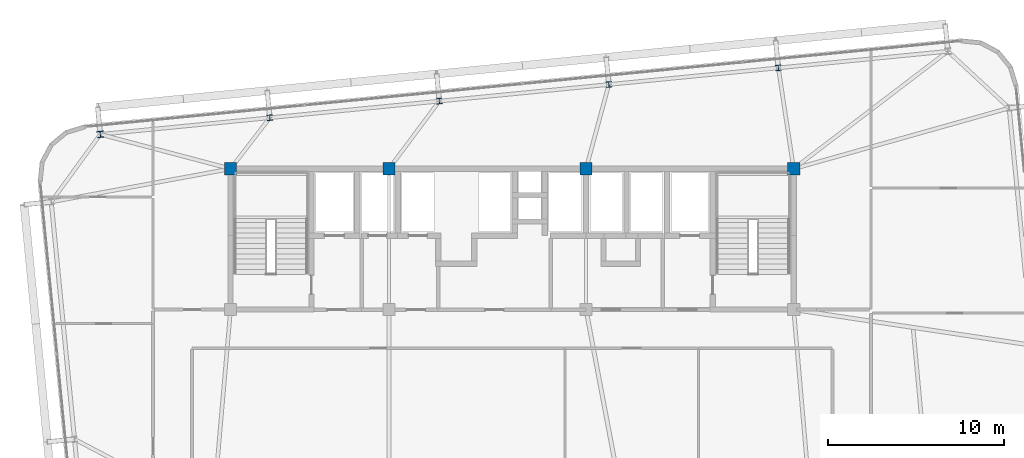
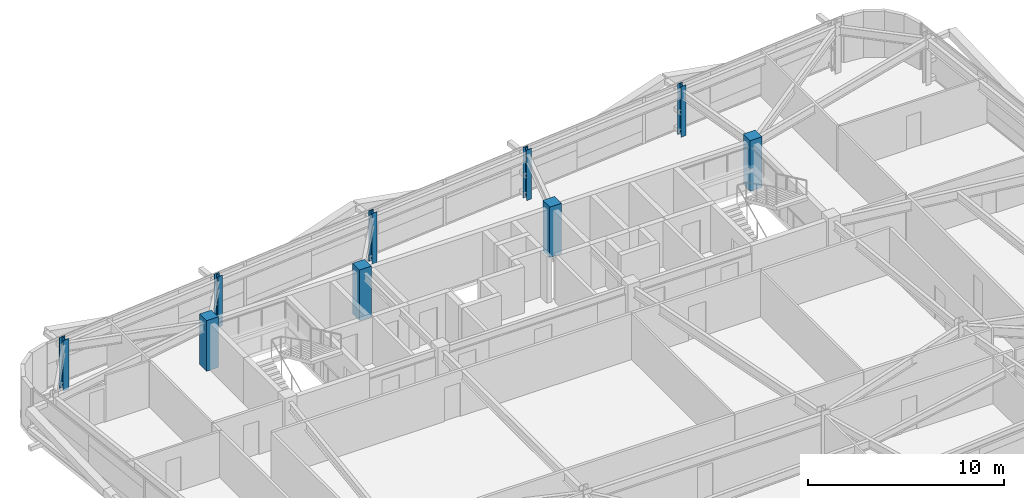
# One storey, part 3 of 47: 9 columns.
"""IFC4 building model written with IfcOpenShell, lengths in metres."""

import ifcopenshell
import ifcopenshell.guid

model = None  # the IFC model being written
_history = None  # IfcOwnerHistory: only IFC2X3 demands one
_inside = {}  # id of a spatial element -> (the spatial element, [elements in it])
_under = {}  # id of a project, library or spatial element -> (it, [spatial elements below it])
_declared = {}  # id of a project -> (the project, [libraries it declares])
_typed = {}  # id of a type object -> (the type object, [elements of that type])
_made_of = {}  # id of a material, layer set ... -> (it, [elements and type objects made of it])


def new_model(schema):
    """Start an empty IFC model of exactly this schema.

    Asked for "IFC4X3", IfcOpenShell would pick the latest addendum, in which some entities
    have other attributes; the version numbers below select the first issue.
    IFC2X3 requires an IfcOwnerHistory on every rooted entity: one is made here for all.
    """
    global model, _history
    if schema == "IFC4X3":
        model = ifcopenshell.file(schema_version=(4, 3, 0, 0))
    else:
        model = ifcopenshell.file(schema=schema)
    _inside.clear()
    _under.clear()
    _declared.clear()
    _typed.clear()
    _made_of.clear()
    _history = None
    if model.schema == "IFC2X3":
        org = make("IfcOrganization", Name="unknown")
        user = make(
            "IfcPersonAndOrganization",
            ThePerson=make("IfcPerson", FamilyName="unknown"),
            TheOrganization=org,
        )
        app = make(
            "IfcApplication",
            ApplicationDeveloper=org,
            Version="unknown",
            ApplicationFullName="unknown",
            ApplicationIdentifier="unknown",
        )
        _history = make(
            "IfcOwnerHistory",
            OwningUser=user,
            OwningApplication=app,
            ChangeAction="ADDED",
            CreationDate=0,
        )
    return model


def make(cls, **values):
    """One entity of the class cls with the attributes given. An attribute that is None is left unset."""
    return model.create_entity(
        cls, **{name: value for name, value in values.items() if value is not None}
    )


def rooted(cls, **values):
    """An entity with a GlobalId (a new one), such as an element, a storey or a relation."""
    return make(cls, GlobalId=ifcopenshell.guid.new(), OwnerHistory=_history, **values)


def si_unit(unit_type, name, prefix=None):
    """IfcSIUnit, for example si_unit("LENGTHUNIT", "METRE", prefix="MILLI")."""
    return make("IfcSIUnit", UnitType=unit_type, Prefix=prefix, Name=name)


def assignment(units):
    """IfcUnitAssignment: the units of a project."""
    return None if units is None else make("IfcUnitAssignment", Units=units)


def point(xyz):
    """IfcCartesianPoint."""
    return None if xyz is None else make("IfcCartesianPoint", Coordinates=xyz)


def direction(xyz):
    """IfcDirection."""
    return None if xyz is None else make("IfcDirection", DirectionRatios=xyz)


def frame(location, z_axis=None, x_axis=None):
    """IfcAxis2Placement3D, a coordinate frame: its origin and axes. An axis left out is left unset."""
    return make(
        "IfcAxis2Placement3D",
        Location=point(location),
        Axis=direction(z_axis),
        RefDirection=direction(x_axis),
    )


def frame_2d(location, x_axis=None):
    """IfcAxis2Placement2D, a coordinate frame in the plane: its origin and x axis."""
    return make(
        "IfcAxis2Placement2D", Location=point(location), RefDirection=direction(x_axis)
    )


def origin():
    """The frame at (0, 0, 0) with its axes left unset."""
    return frame((0.0, 0.0, 0.0))


def origin_2d():
    """The frame at (0, 0) in the plane with its x axis left unset."""
    return frame_2d((0.0, 0.0))


def place(relative_to, where):
    """IfcLocalPlacement: puts the frame where relative to a parent placement (None: the world)."""
    return make(
        "IfcLocalPlacement", PlacementRelTo=relative_to, RelativePlacement=where
    )


def context(
    kind, dimensions, precision=None, world=None, true_north=None, identifier=None
):
    """IfcGeometricRepresentationContext, for example the 3D "Model" context."""
    return make(
        "IfcGeometricRepresentationContext",
        ContextIdentifier=identifier,
        ContextType=kind,
        CoordinateSpaceDimension=dimensions,
        Precision=precision,
        WorldCoordinateSystem=world,
        TrueNorth=true_north,
    )


def subcontext(parent, identifier, kind, view, scale=None):
    """IfcGeometricRepresentationSubContext, for example "Body" below "Model"."""
    return make(
        "IfcGeometricRepresentationSubContext",
        ContextIdentifier=identifier,
        ContextType=kind,
        ParentContext=parent,
        TargetScale=scale,
        TargetView=view,
    )


def project(units=None, contexts=None):
    """IfcProject with its units and contexts."""
    return rooted(
        "IfcProject",
        Name="project",
        RepresentationContexts=contexts,
        UnitsInContext=assignment(units),
    )


def spatial(cls, under=None, at=None, **own):
    """A site, building, storey or space (cls), placed at a placement, below another one or the project."""
    s = rooted(cls, ObjectPlacement=at, **own)
    if under is not None:
        _under.setdefault(under.id(), (under, []))[1].append(s)
    return s


def profile(cls, at=None, kind="AREA", **sizes):
    """A parametric profile (cls). Its sizes go by their IFC names, for example OverallWidth=200.0."""
    return make(cls, ProfileType=kind, Position=at, **sizes)


def rectangle(**sizes):
    """IfcRectangleProfileDef."""
    return profile("IfcRectangleProfileDef", **sizes)


def i_section(**sizes):
    """IfcIShapeProfileDef."""
    return profile("IfcIShapeProfileDef", **sizes)


def extrude(swept, where, along, depth):
    """IfcExtrudedAreaSolid: the profile swept, set in the frame where, extruded along a direction by depth."""
    return make(
        "IfcExtrudedAreaSolid",
        SweptArea=swept,
        Position=where,
        ExtrudedDirection=direction(along),
        Depth=depth,
    )


def shape(context_of_items, identifier, shape_type, items):
    """IfcShapeRepresentation: the items that make up one representation, for example the "Body"."""
    return make(
        "IfcShapeRepresentation",
        ContextOfItems=context_of_items,
        RepresentationIdentifier=identifier,
        RepresentationType=shape_type,
        Items=items,
    )


def source(mapping_origin, context_of_items, identifier, shape_type, items):
    """IfcRepresentationMap: a shape defined once, which mapped items show again and again."""
    return make(
        "IfcRepresentationMap",
        MappingOrigin=mapping_origin,
        MappedRepresentation=shape(context_of_items, identifier, shape_type, items),
    )


def transform(
    local_origin,
    x_axis=None,
    y_axis=None,
    z_axis=None,
    scale=None,
    scale2=None,
    scale3=None,
    uniform=True,
):
    """IfcCartesianTransformationOperator3D, or its non-uniform kind. x_axis, y_axis, z_axis: its Axis1, 2, 3."""
    if uniform:
        return make(
            "IfcCartesianTransformationOperator3D",
            Axis1=direction(x_axis),
            Axis2=direction(y_axis),
            LocalOrigin=point(local_origin),
            Scale=scale,
            Axis3=direction(z_axis),
        )
    return make(
        "IfcCartesianTransformationOperator3DnonUniform",
        Axis1=direction(x_axis),
        Axis2=direction(y_axis),
        LocalOrigin=point(local_origin),
        Scale=scale,
        Axis3=direction(z_axis),
        Scale2=scale2,
        Scale3=scale3,
    )


def mapped(mapping_source, mapping_target):
    """IfcMappedItem: shows the shape of a source again, moved by a transform."""
    return make(
        "IfcMappedItem", MappingSource=mapping_source, MappingTarget=mapping_target
    )


def material(Name=None, Category=None):
    """IfcMaterial."""
    return make("IfcMaterial", Name=Name, Category=Category)


def material_profile(
    of_material, cross_section, Name=None, Category=None, Priority=None
):
    """IfcMaterialProfile: a cross section and its material."""
    return make(
        "IfcMaterialProfile",
        Name=Name,
        Material=of_material,
        Profile=cross_section,
        Priority=Priority,
        Category=Category,
    )


def profile_set(profiles, Name=None, composite=None):
    """IfcMaterialProfileSet."""
    return make(
        "IfcMaterialProfileSet",
        Name=Name,
        MaterialProfiles=profiles,
        CompositeProfile=composite,
    )


def made_of(thing, what):
    """Note that an element or type object is made of a material, layer set ...; save() writes the relation."""
    if what is not None:
        _made_of.setdefault(what.id(), (what, []))[1].append(thing)
    return thing


def type_object(cls, material=None, **own):
    """A type object (cls), such as IfcWallType, which elements share."""
    return made_of(rooted(cls, **own), material)


def element(
    cls,
    number,
    at=None,
    inside=None,
    cuts=None,
    type_object=None,
    material=None,
    context=None,
    identifier="Body",
    shape_type=None,
    held_by="IfcProductDefinitionShape",
    body=None,
    shapes=None,
    **own,
):
    """One element of the class cls, such as IfcWall. Its Tag is "e" and its number.

    at: its placement. inside: the storey or other place that contains it. cuts: it is an
    opening in that element (IfcRelVoidsElement). A single representation is given by context,
    identifier, shape_type and body (its items); several are given by shapes. held_by: the class
    of the entity that holds the representations. save() writes the other relations.
    """
    e = rooted(cls, Tag="e%d" % number, ObjectPlacement=at, **own)
    if body is not None:
        shapes = [shape(context, identifier, shape_type, body)]
    if shapes is not None:
        e.Representation = make(held_by, Representations=shapes)
    if inside is not None:
        _inside.setdefault(inside.id(), (inside, []))[1].append(e)
    if cuts is not None:
        rooted(
            "IfcRelVoidsElement", RelatingBuildingElement=cuts, RelatedOpeningElement=e
        )
    if type_object is not None:
        _typed.setdefault(type_object.id(), (type_object, []))[1].append(e)
    return made_of(e, material)


def aggregate(whole, parts):
    """IfcRelAggregates: a whole, such as a stair, and the parts it consists of."""
    return rooted("IfcRelAggregates", RelatingObject=whole, RelatedObjects=parts)


def save(model, path):
    """Write the relations noted so far, then the file.

    IfcRelAggregates (storeys below a building ...), IfcRelContainedInSpatialStructure (elements
    in a storey), IfcRelDefinesByType, IfcRelAssociatesMaterial and IfcRelDeclares: one each for
    every whole, place, type object, material and project.
    """
    for whole, parts in _under.values():
        aggregate(whole, parts)
    for where, things in _inside.values():
        rooted(
            "IfcRelContainedInSpatialStructure",
            RelatedElements=things,
            RelatingStructure=where,
        )
    for kind, things in _typed.values():
        rooted("IfcRelDefinesByType", RelatedObjects=things, RelatingType=kind)
    for what, things in _made_of.values():
        rooted("IfcRelAssociatesMaterial", RelatedObjects=things, RelatingMaterial=what)
    for by, libraries in _declared.values():
        rooted("IfcRelDeclares", RelatingContext=by, RelatedDefinitions=libraries)
    model.write(path)


model = new_model("IFC4")

# Units and contexts
model_context = context("Model", 3, precision=1e-05, world=origin(), true_north=direction((0.0, 1.0)))
body_context = subcontext(model_context, "Body", "Model", "MODEL_VIEW")
ifc_project = project(units=[si_unit("LENGTHUNIT", "METRE"), si_unit("AREAUNIT", "SQUARE_METRE"), si_unit("VOLUMEUNIT", "CUBIC_METRE"), si_unit("PLANEANGLEUNIT", "RADIAN"), si_unit("MASSUNIT", "GRAM", prefix="KILO")], contexts=[model_context])

# Site, building, storey
site_placement = place(None, origin())
site = spatial("IfcSite", under=ifc_project, at=site_placement, CompositionType="ELEMENT")
building_placement = place(site_placement, origin())
building = spatial("IfcBuilding", under=site, at=building_placement, Name="Taldren Reach Tower", CompositionType="ELEMENT")
storey_placement = place(building_placement, frame((0.0, 0.0, 109.199951171875)))
storey = spatial("IfcBuildingStorey", under=building, at=storey_placement, Name="L33", CompositionType="ELEMENT", Elevation=109.199951171875)

# Columns
ifc_material_1 = material(Name="Concrete S65 (65 MPa)", Category="concrete")
ifc_material_profile_1 = material_profile(ifc_material_1, rectangle(XDim=0.699951171875, YDim=0.699951171875, at=origin_2d()), Name="RC-700x700")
ifc_profile_set_1 = profile_set([ifc_material_profile_1], Name="Concrete S65 (65 MPa)")
column_type_1 = type_object("IfcColumnType", Name="COL-RC700", PredefinedType="COLUMN", material=ifc_profile_set_1)
shared_shape_1 = source(origin(), body_context, "Body", "SweptSolid", [
    extrude(rectangle(XDim=0.699951171875, YDim=0.699951171875, at=origin_2d()), origin(), (0.0, 0.0, 1.0), 3.150146484375),
])
for number, where, z_axis, x_axis, name in (
    (1, (19.0, 32.0, 0.0), (0.0, 0.0, 1.0), (1.0, 0.0, 0.0), "Mega column MC-C5 L33"),
    (2, (28.0, 32.0, 0.0), (0.0, 0.0, 1.0), (1.0, 0.0, 0.0), "Mega column MC-C6 L33"),
    (3, (39.199951171875, 32.0, 0.0), (0.0, 0.0, 1.0), (1.0, 0.0, 0.0), "Mega column MC-C7 L33"),
    (4, (51.0, 32.0, 0.0), (0.0, 0.0, 1.0), (1.0, 0.0, 0.0), "Mega column MC-C8 L33"),
):
    element("IfcColumn", number, at=place(storey_placement, frame(where, z_axis=z_axis, x_axis=x_axis)), inside=storey, type_object=column_type_1, Name=name, PredefinedType="COLUMN", context=body_context, shape_type="MappedRepresentation", body=[
        mapped(shared_shape_1, transform((0.0, 0.0, 0.0), scale=1.0)),
    ])
ifc_material_2 = material(Name="Steel Gr 350 (350PLUS)", Category="steel")
ifc_material_profile_2 = material_profile(ifc_material_2, i_section(OverallWidth=0.35009765625, OverallDepth=0.35595703125, WebThickness=0.01806640625, FlangeThickness=0.028076171875, at=origin_2d()), Name="350WC197")
ifc_profile_set_2 = profile_set([ifc_material_profile_2], Name="Steel Gr 350 (350PLUS)")
column_type_2 = type_object("IfcColumnType", Name="COL-WC350", PredefinedType="COLUMN", material=ifc_profile_set_2)
shared_shape_2 = source(origin(), body_context, "Body", "SweptSolid", [
    extrude(i_section(OverallWidth=0.35009765625, OverallDepth=0.35595703125, WebThickness=0.01806640625, FlangeThickness=0.028076171875, at=origin_2d()), origin(), (0.0, 0.0, 1.0), 3.150146484375),
])
column_placement = place(storey_placement, frame((11.596923828125, 33.956787109375, 0.0), z_axis=(0.0, 0.0, 1.0), x_axis=(0.995227399982, 0.097582899759, 0.0)))
element("IfcColumn", 5, at=column_placement, inside=storey, type_object=column_type_2, Name="Block B2 perimeter column N1 L33", PredefinedType="COLUMN", context=body_context, shape_type="MappedRepresentation", body=[
    mapped(shared_shape_2, transform((0.0, 0.0, 0.0), scale=1.0)),
])
ifc_material_profile_3 = material_profile(ifc_material_2, i_section(OverallWidth=0.306884765625, OverallDepth=0.31494140625, WebThickness=0.011962890625, FlangeThickness=0.018798828125, at=origin_2d()), Name="310UC118")
ifc_profile_set_3 = profile_set([ifc_material_profile_3], Name="Steel Gr 350 (350PLUS)")
column_type_3 = type_object("IfcColumnType", Name="COL-UC310B", PredefinedType="COLUMN", material=ifc_profile_set_3)
shared_shape_3 = source(origin(), body_context, "Body", "SweptSolid", [
    extrude(i_section(OverallWidth=0.306884765625, OverallDepth=0.31494140625, WebThickness=0.011962890625, FlangeThickness=0.018798828125, at=origin_2d()), origin(), (0.0, 0.0, 1.0), 3.150146484375),
])
for number, where, z_axis, x_axis, name in (
    (6, (21.230712890625, 34.9013671875, 0.0), (0.0, 0.0, 1.0), (0.995227399982, 0.097582899759, 0.0), "Block B2 perimeter column N2 L33"),
    (7, (30.864501953125, 35.84619140625, 0.0), (0.0, 0.0, 1.0), (0.995227399982, 0.097582899759, 0.0), "Block B2 perimeter column N3 L33"),
    (8, (40.498291015625, 36.790771484375, 0.0), (0.0, 0.0, 1.0), (0.995227399982, 0.097582899759, 0.0), "Block B2 perimeter column N4 L33"),
    (9, (50.132080078125, 37.7353515625, 0.0), (0.0, 0.0, 1.0), (0.995227399982, 0.097582899759, 0.0), "Block B2 perimeter column N5 L33"),
):
    element("IfcColumn", number, at=place(storey_placement, frame(where, z_axis=z_axis, x_axis=x_axis)), inside=storey, type_object=column_type_3, Name=name, PredefinedType="COLUMN", context=body_context, shape_type="MappedRepresentation", body=[
        mapped(shared_shape_3, transform((0.0, 0.0, 0.0), scale=1.0)),
    ])

save(model, "model.ifc")
